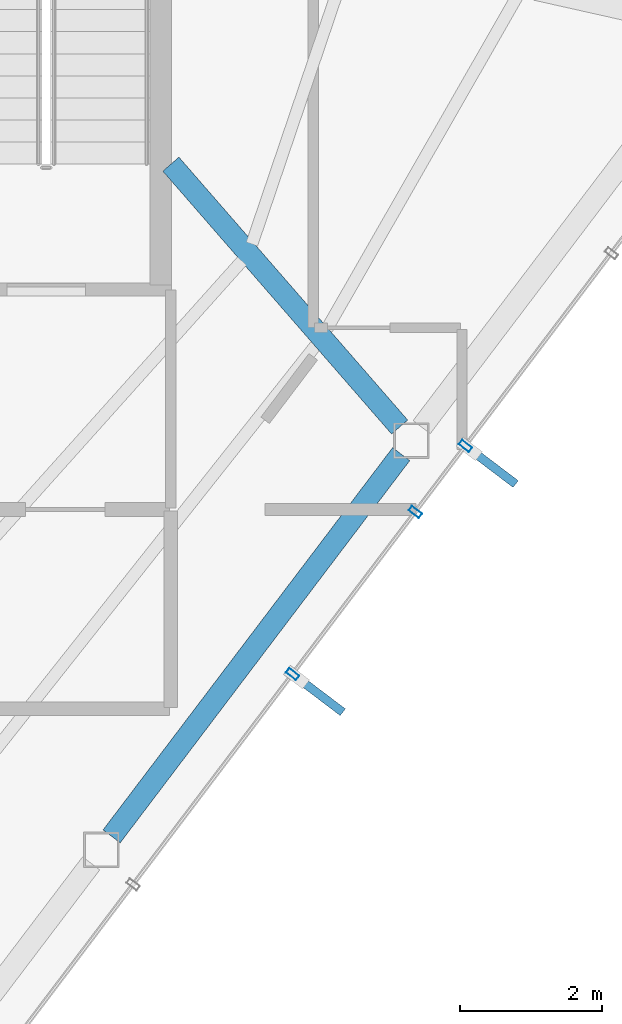
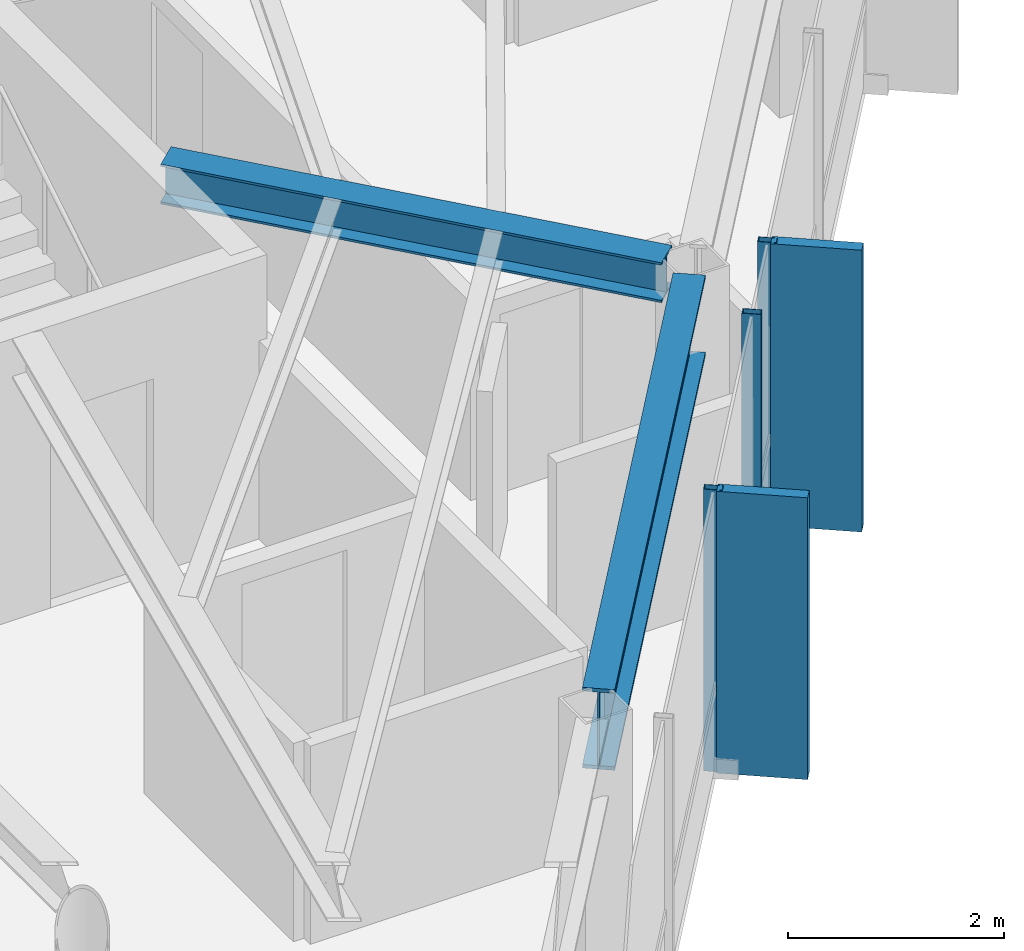
# One storey, part 15 of 25: 5 members, 2 beams, 1 element without a shape of its own.
"""IFC4 building model written with IfcOpenShell, lengths in metres."""

from ifc_helpers import new_model, si_unit, direction, frame, origin, origin_2d, place, context, subcontext, project, spatial, rectangle, hollow_rectangle, i_section, extrude, material, layer, layer_set, material_profile, profile_set, type_object, element, aggregate, save


model = new_model("IFC4")

# Units and contexts
model_context = context("Model", 3, precision=1e-05, world=origin(), true_north=direction((0.0, 1.0)))
body_context = subcontext(model_context, "Body", "Model", "MODEL_VIEW")
ifc_project = project(units=[si_unit("LENGTHUNIT", "METRE"), si_unit("AREAUNIT", "SQUARE_METRE"), si_unit("VOLUMEUNIT", "CUBIC_METRE"), si_unit("PLANEANGLEUNIT", "RADIAN"), si_unit("MASSUNIT", "GRAM", prefix="KILO")], contexts=[model_context])

# Site, building, storey
site_placement = place(None, origin())
site = spatial("IfcSite", under=ifc_project, at=site_placement, CompositionType="ELEMENT")
building_placement = place(site_placement, origin())
building = spatial("IfcBuilding", under=site, at=building_placement, Name="Zarrinselat Tower", CompositionType="ELEMENT")
storey_placement = place(building_placement, frame((0.0, 0.0, 261.800048828125)))
storey = spatial("IfcBuildingStorey", under=building, at=storey_placement, Name="L66", CompositionType="ELEMENT", Elevation=261.800048828125)

# Beams
ifc_material_1 = material(Name="Steel S355J2", Category="steel")
ifc_material_profile_1 = material_profile(ifc_material_1, i_section(OverallWidth=0.300048828125, OverallDepth=0.449951171875, WebThickness=0.013916015625, FlangeThickness=0.02587890625, at=origin_2d()), Name="HEB 450")
ifc_profile_set_1 = profile_set([ifc_material_profile_1], Name="Steel S355J2")
beam_type_1 = type_object("IfcBeamType", Name="BM-HEB450", PredefinedType="BEAM", material=ifc_profile_set_1)
beam_1_placement = place(storey_placement, frame((48.35009765625, 35.0, 2.954833984375), z_axis=(0.65651081447, -0.754316611566, 0.0), x_axis=(0.754316611566, 0.65651081447, 0.0)))
element("IfcBeam", 1, at=beam_1_placement, inside=storey, type_object=beam_type_1, Name="L66 Radial Primary Girder RG13", PredefinedType="BEAM", context=body_context, shape_type="SweptSolid", body=[
    extrude(i_section(OverallWidth=0.300048828125, OverallDepth=0.449951171875, WebThickness=0.013916015625, FlangeThickness=0.02587890625, at=origin_2d()), origin(), (0.0, 0.0, 1.0), 4.89501953125),
])
ifc_material_2 = material(Name="Steel S460M", Category="steel")
ifc_material_profile_2 = material_profile(ifc_material_2, i_section(OverallWidth=0.302001953125, OverallDepth=0.909912109375, WebThickness=0.02099609375, FlangeThickness=0.0400390625, at=origin_2d()), Name="HEM 900")
ifc_profile_set_2 = profile_set([ifc_material_profile_2], Name="Steel S460M")
beam_type_2 = type_object("IfcBeamType", Name="BM-HEM900", PredefinedType="BEAM", material=ifc_profile_set_2)
beam_2_placement = place(storey_placement, frame((47.51806640625, 25.55908203125, 2.724853515625), z_axis=(0.603878624044, 0.797076287078, 0.0), x_axis=(-0.797076287078, 0.603878624044, 0.0)))
element("IfcBeam", 2, at=beam_2_placement, inside=storey, type_object=beam_type_2, Name="L66 Perimeter Spandrel Girder SP12", PredefinedType="BEAM", context=body_context, shape_type="SweptSolid", body=[
    extrude(i_section(OverallWidth=0.302001953125, OverallDepth=0.909912109375, WebThickness=0.02099609375, FlangeThickness=0.0400390625, at=origin_2d()), origin(), (0.0, 0.0, 1.0), 6.7353515625),
])

# Curtain wall, members
ifc_material_3 = material(Name="Extruded Aluminium Alloy EN AW-6063 T6", Category="aluminium")
ifc_layer = layer(ifc_material_3, 0.199951171875)
ifc_layer_set = layer_set([ifc_layer], Name="Extruded Aluminium Alloy EN AW-6063 T6")
curtain_wall_type = type_object("IfcCurtainWallType", Name="CWS-BLADE", PredefinedType="NOTDEFINED", material=ifc_layer_set)
curtain_wall_placement = place(storey_placement, origin())
curtain_wall = element("IfcCurtainWall", 3, at=curtain_wall_placement, inside=storey, type_object=curtain_wall_type, Name="L66 Unitised Curtain Wall CW-L66-E05", PredefinedType="NOTDEFINED")
ifc_material_4 = material(Name="Extruded Aluminium Alloy EN AW-6063 T6", Category="aluminium")
ifc_material_profile_3 = material_profile(ifc_material_4, hollow_rectangle(XDim=0.080078125, YDim=0.179931640625, WallThickness=0.0048828125, at=origin_2d()), Name="RHS 180x80x5")
ifc_profile_set_3 = profile_set([ifc_material_profile_3], Name="Extruded Aluminium Alloy EN AW-6063 T6")
member_type_1 = type_object("IfcMemberType", Name="MEM-CW-MUL", PredefinedType="MULLION", material=ifc_profile_set_3)
member_1_placement = place(storey_placement, frame((50.059326171875, 27.837158203125, 0.0), z_axis=(0.0, 0.0, 1.0), x_axis=(0.603859570382, 0.7970907221, 0.0)))
member_1 = element("IfcMember", 4, at=member_1_placement, type_object=member_type_1, Name="CW-L66-E05 Mullion 3", PredefinedType="MULLION", context=body_context, shape_type="SweptSolid", body=[
    extrude(hollow_rectangle(XDim=0.080078125, YDim=0.179931640625, WallThickness=0.0048828125, at=origin_2d()), origin(), (0.0, 0.0, 1.0), 3.179931640625),
])
member_2_placement = place(storey_placement, frame((51.7841796875, 30.11376953125, 0.0), z_axis=(0.0, 0.0, 1.0), x_axis=(0.603859570382, 0.7970907221, 0.0)))
member_2 = element("IfcMember", 5, at=member_2_placement, type_object=member_type_1, Name="CW-L66-E05 Mullion 4", PredefinedType="MULLION", context=body_context, shape_type="SweptSolid", body=[
    extrude(hollow_rectangle(XDim=0.080078125, YDim=0.179931640625, WallThickness=0.0048828125, at=origin_2d()), origin(), (0.0, 0.0, 1.0), 3.179931640625),
])
member_3_placement = place(storey_placement, frame((52.4873046875, 31.041748046875, 0.0), z_axis=(0.0, 0.0, 1.0), x_axis=(0.603859570382, 0.7970907221, 0.0)))
member_3 = element("IfcMember", 6, at=member_3_placement, type_object=member_type_1, Name="CW-L66-E05 Mullion 5", PredefinedType="MULLION", context=body_context, shape_type="SweptSolid", body=[
    extrude(hollow_rectangle(XDim=0.080078125, YDim=0.179931640625, WallThickness=0.0048828125, at=origin_2d()), origin(), (0.0, 0.0, 1.0), 3.179931640625),
])
ifc_material_5 = material(Name="Honed Cream Travertine Stone", Category="masonry")
ifc_material_profile_4 = material_profile(ifc_material_5, rectangle(XDim=0.1201171875, YDim=0.85009765625, at=origin_2d()), Name="FIN 850x120")
ifc_profile_set_4 = profile_set([ifc_material_profile_4], Name="Honed Cream Travertine Stone")
member_type_2 = type_object("IfcMemberType", Name="MEM-STONE-FIN", PredefinedType="USERDEFINED", material=ifc_profile_set_4)
member_4_placement = place(storey_placement, frame((50.426025390625, 27.559326171875, 0.0), z_axis=(0.0, 0.0, 1.0), x_axis=(-0.603859570382, -0.7970907221, 0.0)))
member_4 = element("IfcMember", 7, at=member_4_placement, type_object=member_type_2, Name="L66 Stone Shading Fin CW-L66-E05-03", ObjectType="FIN", PredefinedType="USERDEFINED", context=body_context, shape_type="SweptSolid", body=[
    extrude(rectangle(XDim=0.1201171875, YDim=0.85009765625, at=origin_2d()), origin(), (0.0, 0.0, 1.0), 3.179931640625),
])
member_5_placement = place(storey_placement, frame((52.85400390625, 30.763916015625, 0.0), z_axis=(0.0, 0.0, 1.0), x_axis=(-0.603859570382, -0.7970907221, 0.0)))
member_5 = element("IfcMember", 8, at=member_5_placement, type_object=member_type_2, Name="L66 Stone Shading Fin CW-L66-E05-05", ObjectType="FIN", PredefinedType="USERDEFINED", context=body_context, shape_type="SweptSolid", body=[
    extrude(rectangle(XDim=0.1201171875, YDim=0.85009765625, at=origin_2d()), origin(), (0.0, 0.0, 1.0), 3.179931640625),
])
aggregate(curtain_wall, [member_1, member_4, member_2, member_3, member_5])

save(model, "model.ifc")
